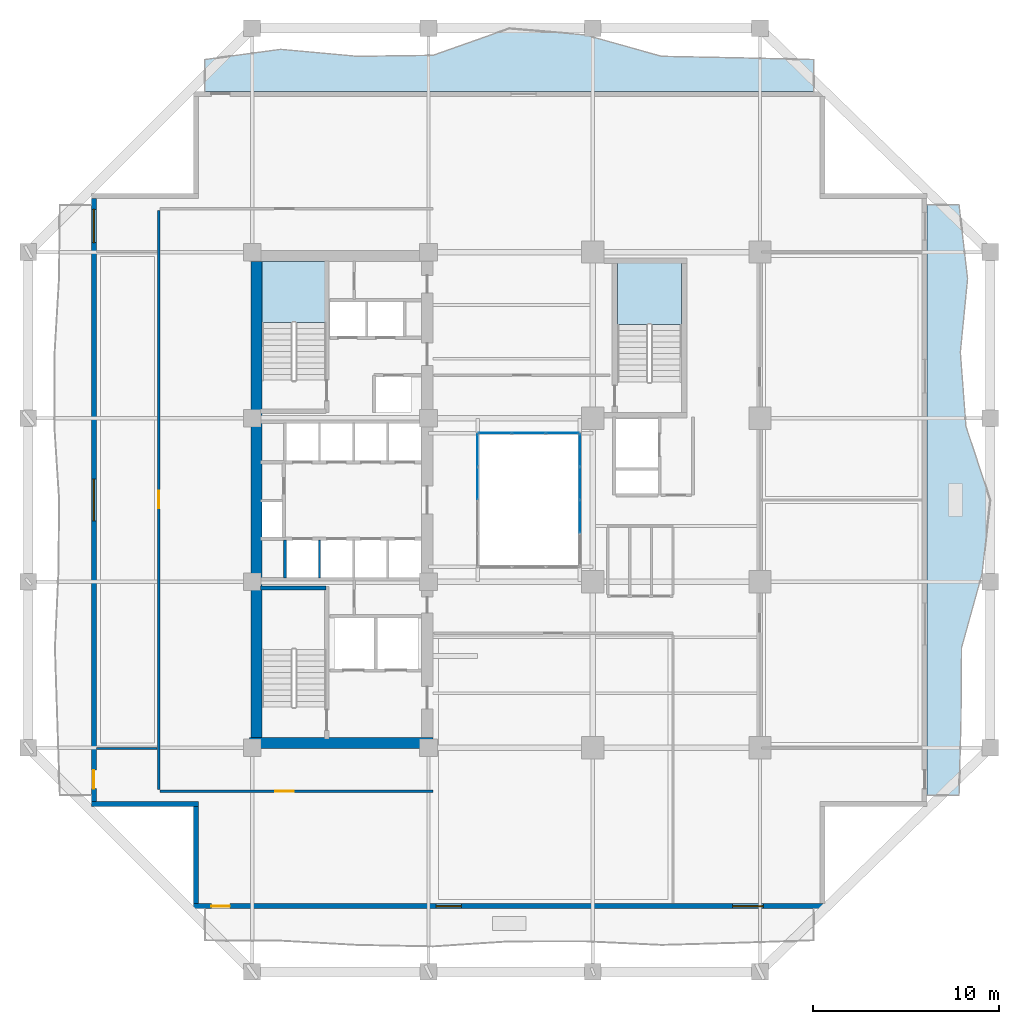
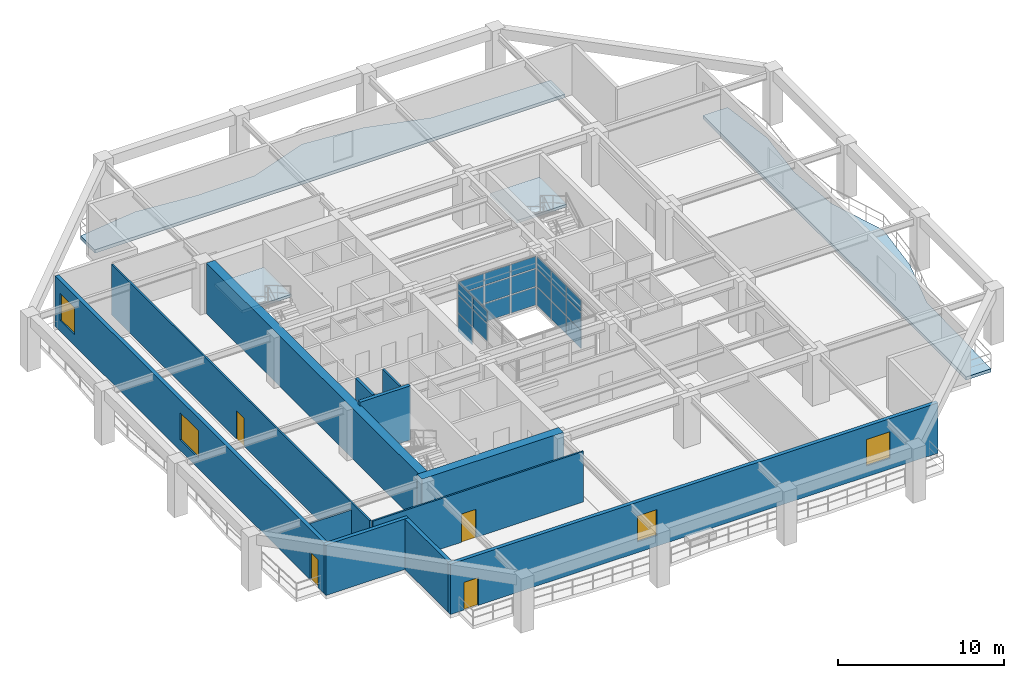
# One storey, part 6 of 17: 23 plates, 12 walls, 4 doors, 4 slabs, 4 windows, 8 openings, 5 elements without a shape of their own.
"""IFC4 building model written with IfcOpenShell, lengths in metres."""

from ifc_helpers import new_model, si_unit, direction, frame, frame_2d, origin, origin_2d, place, context, subcontext, project, spatial, polyline, rectangle, outline, extrude, material, layer, layer_set, type_object, element, fill, aggregate, save


model = new_model("IFC4")

# Units and contexts
model_context = context("Model", 3, precision=1e-05, world=origin(), true_north=direction((0.0, 1.0)))
body_context = subcontext(model_context, "Body", "Model", "MODEL_VIEW")
ifc_project = project(units=[si_unit("LENGTHUNIT", "METRE"), si_unit("AREAUNIT", "SQUARE_METRE"), si_unit("VOLUMEUNIT", "CUBIC_METRE"), si_unit("PLANEANGLEUNIT", "RADIAN"), si_unit("MASSUNIT", "GRAM", prefix="KILO")], contexts=[model_context])

# Site, building, storey
site_placement = place(None, origin())
site = spatial("IfcSite", under=ifc_project, at=site_placement, CompositionType="ELEMENT")
building_placement = place(site_placement, origin())
building = spatial("IfcBuilding", under=site, at=building_placement, Name="Kundavana Baori Tower", CompositionType="ELEMENT")
storey_placement = place(building_placement, frame((0.0, 0.0, 26.0)))
storey = spatial("IfcBuildingStorey", under=building, at=storey_placement, Name="L05", CompositionType="ELEMENT", Elevation=26.0)

# Curtain wall, plates
ifc_material_1 = material(Name="Thermally Broken Anodised Aluminium Framing", Category="aluminium")
ifc_layer_1 = layer(ifc_material_1, 0.18994140625, Name="CW-SYS-3")
ifc_layer_set_1 = layer_set([ifc_layer_1], Name="Thermally Broken Anodised Aluminium Framing")
curtain_wall_type = type_object("IfcCurtainWallType", Name="CW-SYS-3", PredefinedType="NOTDEFINED", material=ifc_layer_set_1)
curtain_wall_1_placement = place(storey_placement, origin())
curtain_wall_1 = element("IfcCurtainWall", 1, at=curtain_wall_1_placement, inside=storey, type_object=curtain_wall_type, Name="L05 Atrium Glazed Curtain Wall E", PredefinedType="NOTDEFINED")
ifc_material_2 = material(Name="Double-Glazed Solar-Control Low-E Insulated Glass", Category="glass")
ifc_layer_2 = layer(ifc_material_2, 0.028076171875, Name="CW-PNL-GLS28")
ifc_layer_set_2 = layer_set([ifc_layer_2], Name="Double-Glazed Solar-Control Low-E Insulated Glass")
plate_type = type_object("IfcPlateType", Name="CW-PNL-GLS28", PredefinedType="CURTAIN_PANEL", material=ifc_layer_set_2)
plate_1_placement = place(storey_placement, frame((33.10009765625, 27.699951171875, 0.06494140625), z_axis=(0.0, 0.0, 1.0), x_axis=(0.0, 1.0, 0.0)))
plate_1 = element("IfcPlate", 2, at=plate_1_placement, type_object=plate_type, Name="CW3 panel 2.1", PredefinedType="CURTAIN_PANEL", context=body_context, shape_type="SweptSolid", body=[
    extrude(rectangle(XDim=1.735107421875, YDim=0.028076171875, at=origin_2d()), origin(), (0.0, 0.0, 1.0), 1.316162109375),
])
plate_2_placement = place(storey_placement, frame((33.10009765625, 27.699951171875, 1.4462890625), z_axis=(0.0, 0.0, 1.0), x_axis=(0.0, 1.0, 0.0)))
plate_2 = element("IfcPlate", 3, at=plate_2_placement, type_object=plate_type, Name="CW3 panel 2.2", PredefinedType="CURTAIN_PANEL", context=body_context, shape_type="SweptSolid", body=[
    extrude(rectangle(XDim=1.735107421875, YDim=0.028076171875, at=origin_2d()), origin(), (0.0, 0.0, 1.0), 1.274169921875),
])
plate_3_placement = place(storey_placement, frame((33.10009765625, 27.699951171875, 2.785400390625), z_axis=(0.0, 0.0, 1.0), x_axis=(0.0, 1.0, 0.0)))
plate_3 = element("IfcPlate", 4, at=plate_3_placement, type_object=plate_type, Name="CW3 panel 2.3", PredefinedType="CURTAIN_PANEL", context=body_context, shape_type="SweptSolid", body=[
    extrude(rectangle(XDim=1.735107421875, YDim=0.028076171875, at=origin_2d()), origin(), (0.0, 0.0, 1.0), 0.86962890625),
])
plate_4_placement = place(storey_placement, frame((33.10009765625, 29.5, 0.06494140625), z_axis=(0.0, 0.0, 1.0), x_axis=(0.0, 1.0, 0.0)))
plate_4 = element("IfcPlate", 5, at=plate_4_placement, type_object=plate_type, Name="CW3 panel 3.1", PredefinedType="CURTAIN_PANEL", context=body_context, shape_type="SweptSolid", body=[
    extrude(rectangle(XDim=1.735107421875, YDim=0.028076171875, at=origin_2d()), origin(), (0.0, 0.0, 1.0), 1.316162109375),
])
plate_5_placement = place(storey_placement, frame((33.10009765625, 29.5, 1.4462890625), z_axis=(0.0, 0.0, 1.0), x_axis=(0.0, 1.0, 0.0)))
plate_5 = element("IfcPlate", 6, at=plate_5_placement, type_object=plate_type, Name="CW3 panel 3.2", PredefinedType="CURTAIN_PANEL", context=body_context, shape_type="SweptSolid", body=[
    extrude(rectangle(XDim=1.735107421875, YDim=0.028076171875, at=origin_2d()), origin(), (0.0, 0.0, 1.0), 1.274169921875),
])
plate_6_placement = place(storey_placement, frame((33.10009765625, 29.5, 2.785400390625), z_axis=(0.0, 0.0, 1.0), x_axis=(0.0, 1.0, 0.0)))
plate_6 = element("IfcPlate", 7, at=plate_6_placement, type_object=plate_type, Name="CW3 panel 3.3", PredefinedType="CURTAIN_PANEL", context=body_context, shape_type="SweptSolid", body=[
    extrude(rectangle(XDim=1.735107421875, YDim=0.028076171875, at=origin_2d()), origin(), (0.0, 0.0, 1.0), 0.86962890625),
])
plate_7_placement = place(storey_placement, frame((33.10009765625, 31.28369140625, 0.06494140625), z_axis=(0.0, 0.0, 1.0), x_axis=(0.0, 1.0, 0.0)))
plate_7 = element("IfcPlate", 8, at=plate_7_placement, type_object=plate_type, Name="CW3 panel 4.1", PredefinedType="CURTAIN_PANEL", context=body_context, shape_type="SweptSolid", body=[
    extrude(rectangle(XDim=1.702392578125, YDim=0.028076171875, at=origin_2d()), origin(), (0.0, 0.0, 1.0), 1.316162109375),
])
plate_8_placement = place(storey_placement, frame((33.10009765625, 31.28369140625, 1.4462890625), z_axis=(0.0, 0.0, 1.0), x_axis=(0.0, 1.0, 0.0)))
plate_8 = element("IfcPlate", 9, at=plate_8_placement, type_object=plate_type, Name="CW3 panel 4.2", PredefinedType="CURTAIN_PANEL", context=body_context, shape_type="SweptSolid", body=[
    extrude(rectangle(XDim=1.702392578125, YDim=0.028076171875, at=origin_2d()), origin(), (0.0, 0.0, 1.0), 1.274169921875),
])
plate_9_placement = place(storey_placement, frame((33.10009765625, 31.28369140625, 2.785400390625), z_axis=(0.0, 0.0, 1.0), x_axis=(0.0, 1.0, 0.0)))
plate_9 = element("IfcPlate", 10, at=plate_9_placement, type_object=plate_type, Name="CW3 panel 4.3", PredefinedType="CURTAIN_PANEL", context=body_context, shape_type="SweptSolid", body=[
    extrude(rectangle(XDim=1.702392578125, YDim=0.028076171875, at=origin_2d()), origin(), (0.0, 0.0, 1.0), 0.86962890625),
])
aggregate(curtain_wall_1, [plate_1, plate_2, plate_3, plate_4, plate_5, plate_6, plate_7, plate_8, plate_9])

curtain_wall_2_placement = place(storey_placement, origin())
curtain_wall_2 = element("IfcCurtainWall", 11, at=curtain_wall_2_placement, inside=storey, type_object=curtain_wall_type, Name="L05 Atrium Glazed Curtain Wall N", PredefinedType="NOTDEFINED")
plate_10_placement = place(storey_placement, frame((32.1669921875, 32.199951171875, 0.06494140625), z_axis=(0.0, 0.0, 1.0), x_axis=(-1.0, 0.0, 0.0)))
plate_10 = element("IfcPlate", 12, at=plate_10_placement, type_object=plate_type, Name="CW3 panel 1.1", PredefinedType="CURTAIN_PANEL", context=body_context, shape_type="SweptSolid", body=[
    extrude(rectangle(XDim=1.73583984375, YDim=0.028076171875, at=origin_2d()), origin(), (0.0, 0.0, 1.0), 1.316162109375),
])
plate_11_placement = place(storey_placement, frame((32.1669921875, 32.199951171875, 1.4462890625), z_axis=(0.0, 0.0, 1.0), x_axis=(-1.0, 0.0, 0.0)))
plate_11 = element("IfcPlate", 13, at=plate_11_placement, type_object=plate_type, Name="CW3 panel 1.2", PredefinedType="CURTAIN_PANEL", context=body_context, shape_type="SweptSolid", body=[
    extrude(rectangle(XDim=1.73583984375, YDim=0.028076171875, at=origin_2d()), origin(), (0.0, 0.0, 1.0), 1.274169921875),
])
plate_12_placement = place(storey_placement, frame((32.1669921875, 32.199951171875, 2.785400390625), z_axis=(0.0, 0.0, 1.0), x_axis=(-1.0, 0.0, 0.0)))
plate_12 = element("IfcPlate", 14, at=plate_12_placement, type_object=plate_type, Name="CW3 panel 1.3", PredefinedType="CURTAIN_PANEL", context=body_context, shape_type="SweptSolid", body=[
    extrude(rectangle(XDim=1.73583984375, YDim=0.028076171875, at=origin_2d()), origin(), (0.0, 0.0, 1.0), 0.86962890625),
])
plate_13_placement = place(storey_placement, frame((30.35009765625, 32.199951171875, 0.06494140625), z_axis=(0.0, 0.0, 1.0), x_axis=(-1.0, 0.0, 0.0)))
plate_13 = element("IfcPlate", 15, at=plate_13_placement, type_object=plate_type, Name="CW3 panel 2.1", PredefinedType="CURTAIN_PANEL", context=body_context, shape_type="SweptSolid", body=[
    extrude(rectangle(XDim=1.768310546875, YDim=0.028076171875, at=origin_2d()), origin(), (0.0, 0.0, 1.0), 1.316162109375),
])
plate_14_placement = place(storey_placement, frame((30.35009765625, 32.199951171875, 1.4462890625), z_axis=(0.0, 0.0, 1.0), x_axis=(-1.0, 0.0, 0.0)))
plate_14 = element("IfcPlate", 16, at=plate_14_placement, type_object=plate_type, Name="CW3 panel 2.2", PredefinedType="CURTAIN_PANEL", context=body_context, shape_type="SweptSolid", body=[
    extrude(rectangle(XDim=1.768310546875, YDim=0.028076171875, at=origin_2d()), origin(), (0.0, 0.0, 1.0), 1.274169921875),
])
plate_15_placement = place(storey_placement, frame((30.35009765625, 32.199951171875, 2.785400390625), z_axis=(0.0, 0.0, 1.0), x_axis=(-1.0, 0.0, 0.0)))
plate_15 = element("IfcPlate", 17, at=plate_15_placement, type_object=plate_type, Name="CW3 panel 2.3", PredefinedType="CURTAIN_PANEL", context=body_context, shape_type="SweptSolid", body=[
    extrude(rectangle(XDim=1.768310546875, YDim=0.028076171875, at=origin_2d()), origin(), (0.0, 0.0, 1.0), 0.86962890625),
])
plate_16_placement = place(storey_placement, frame((28.532958984375, 32.199951171875, 0.06494140625), z_axis=(0.0, 0.0, 1.0), x_axis=(-1.0, 0.0, 0.0)))
plate_16 = element("IfcPlate", 18, at=plate_16_placement, type_object=plate_type, Name="CW3 panel 3.1", PredefinedType="CURTAIN_PANEL", context=body_context, shape_type="SweptSolid", body=[
    extrude(rectangle(XDim=1.73583984375, YDim=0.028076171875, at=origin_2d()), origin(), (0.0, 0.0, 1.0), 1.316162109375),
])
plate_17_placement = place(storey_placement, frame((28.532958984375, 32.199951171875, 1.4462890625), z_axis=(0.0, 0.0, 1.0), x_axis=(-1.0, 0.0, 0.0)))
plate_17 = element("IfcPlate", 19, at=plate_17_placement, type_object=plate_type, Name="CW3 panel 3.2", PredefinedType="CURTAIN_PANEL", context=body_context, shape_type="SweptSolid", body=[
    extrude(rectangle(XDim=1.73583984375, YDim=0.028076171875, at=origin_2d()), origin(), (0.0, 0.0, 1.0), 1.274169921875),
])
plate_18_placement = place(storey_placement, frame((28.532958984375, 32.199951171875, 2.785400390625), z_axis=(0.0, 0.0, 1.0), x_axis=(-1.0, 0.0, 0.0)))
plate_18 = element("IfcPlate", 20, at=plate_18_placement, type_object=plate_type, Name="CW3 panel 3.3", PredefinedType="CURTAIN_PANEL", context=body_context, shape_type="SweptSolid", body=[
    extrude(rectangle(XDim=1.73583984375, YDim=0.028076171875, at=origin_2d()), origin(), (0.0, 0.0, 1.0), 0.86962890625),
])
aggregate(curtain_wall_2, [plate_10, plate_11, plate_12, plate_13, plate_14, plate_15, plate_16, plate_17, plate_18])

curtain_wall_3_placement = place(storey_placement, origin())
curtain_wall_3 = element("IfcCurtainWall", 21, at=curtain_wall_3_placement, inside=storey, type_object=curtain_wall_type, Name="L05 Atrium Glazed Curtain Wall W", PredefinedType="NOTDEFINED")
plate_19_placement = place(storey_placement, frame((27.60009765625, 31.28369140625, 0.06494140625), z_axis=(0.0, 0.0, 1.0), x_axis=(0.0, -1.0, 0.0)))
plate_19 = element("IfcPlate", 22, at=plate_19_placement, type_object=plate_type, Name="CW3 panel 1.1", PredefinedType="CURTAIN_PANEL", context=body_context, shape_type="SweptSolid", body=[
    extrude(rectangle(XDim=1.702392578125, YDim=0.028076171875, at=origin_2d()), origin(), (0.0, 0.0, 1.0), 1.316162109375),
])
plate_20_placement = place(storey_placement, frame((27.60009765625, 31.28369140625, 1.4462890625), z_axis=(0.0, 0.0, 1.0), x_axis=(0.0, -1.0, 0.0)))
plate_20 = element("IfcPlate", 23, at=plate_20_placement, type_object=plate_type, Name="CW3 panel 1.2", PredefinedType="CURTAIN_PANEL", context=body_context, shape_type="SweptSolid", body=[
    extrude(rectangle(XDim=1.702392578125, YDim=0.028076171875, at=origin_2d()), origin(), (0.0, 0.0, 1.0), 1.274169921875),
])
plate_21_placement = place(storey_placement, frame((27.60009765625, 31.28369140625, 2.785400390625), z_axis=(0.0, 0.0, 1.0), x_axis=(0.0, -1.0, 0.0)))
plate_21 = element("IfcPlate", 24, at=plate_21_placement, type_object=plate_type, Name="CW3 panel 1.3", PredefinedType="CURTAIN_PANEL", context=body_context, shape_type="SweptSolid", body=[
    extrude(rectangle(XDim=1.702392578125, YDim=0.028076171875, at=origin_2d()), origin(), (0.0, 0.0, 1.0), 0.86962890625),
])
plate_22_placement = place(storey_placement, frame((27.60009765625, 29.5, 1.4462890625), z_axis=(0.0, 0.0, 1.0), x_axis=(0.0, -1.0, 0.0)))
plate_22 = element("IfcPlate", 25, at=plate_22_placement, type_object=plate_type, Name="CW3 panel 2.2", PredefinedType="CURTAIN_PANEL", context=body_context, shape_type="SweptSolid", body=[
    extrude(rectangle(XDim=1.735107421875, YDim=0.028076171875, at=origin_2d()), origin(), (0.0, 0.0, 1.0), 1.274169921875),
])
plate_23_placement = place(storey_placement, frame((27.60009765625, 29.5, 2.785400390625), z_axis=(0.0, 0.0, 1.0), x_axis=(0.0, -1.0, 0.0)))
plate_23 = element("IfcPlate", 26, at=plate_23_placement, type_object=plate_type, Name="CW3 panel 2.3", PredefinedType="CURTAIN_PANEL", context=body_context, shape_type="SweptSolid", body=[
    extrude(rectangle(XDim=1.735107421875, YDim=0.028076171875, at=origin_2d()), origin(), (0.0, 0.0, 1.0), 0.86962890625),
])
aggregate(curtain_wall_3, [plate_19, plate_20, plate_21, plate_22, plate_23])

# Stair, slab
ifc_material_3 = material(Name="Concrete C40/50", Category="concrete")
stair_type = type_object("IfcStairType", Name="STR-DOG-1650", PredefinedType="HALF_TURN_STAIR", material=ifc_material_3)
stair_1_placement = place(storey_placement, origin())
stair_1 = element("IfcStair", 27, at=stair_1_placement, inside=storey, type_object=stair_type, Name="L05 Protected Exit Stair ST2", PredefinedType="HALF_TURN_STAIR")
ifc_material_4 = material(Name="Concrete C40/50", Category="concrete")
ifc_layer_3 = layer(ifc_material_4, 0.199951171875, Name="SLB-LND-200")
ifc_layer_set_3 = layer_set([ifc_layer_3], Name="Concrete C40/50")
slab_type_1 = type_object("IfcSlabType", Name="SLB-LND-200", PredefinedType="LANDING", material=ifc_layer_set_3)
slab_1_placement = place(storey_placement, frame((0.0, 0.0, 1.800048828125)))
slab_1 = element("IfcSlab", 28, at=slab_1_placement, type_object=slab_type_1, Name="ST2 landing 1", PredefinedType="LANDING", context=body_context, shape_type="SweptSolid", body=[
    extrude(outline(polyline([(19.43994140625, 38.14990234375), (19.43994140625, 41.449951171875), (15.97998046875, 41.449951171875), (15.97998046875, 38.14990234375), (19.43994140625, 38.14990234375)])), origin(), (0.0, 0.0, 1.0), 0.199951171875),
])
aggregate(stair_1, [slab_1])

stair_2_placement = place(storey_placement, origin())
stair_2 = element("IfcStair", 29, at=stair_2_placement, inside=storey, type_object=stair_type, Name="L05 Protected Exit Stair ST3", PredefinedType="HALF_TURN_STAIR")
slab_2_placement = place(storey_placement, frame((0.0, 0.0, 1.800048828125)))
slab_2 = element("IfcSlab", 30, at=slab_2_placement, type_object=slab_type_1, Name="ST3 landing 1", PredefinedType="LANDING", context=body_context, shape_type="SweptSolid", body=[
    extrude(outline(polyline([(38.580078125, 38.050048828125), (38.580078125, 41.35009765625), (35.1201171875, 41.35009765625), (35.1201171875, 38.050048828125), (38.580078125, 38.050048828125)])), origin(), (0.0, 0.0, 1.0), 0.199951171875),
])
aggregate(stair_2, [slab_2])

# Slabs
ifc_material_5 = material(Name="Concrete C40/50", Category="concrete")
ifc_layer_4 = layer(ifc_material_5, 0.239990234375, Name="SLB-LOG-240")
ifc_layer_set_4 = layer_set([ifc_layer_4], Name="Concrete C40/50")
slab_type_2 = type_object("IfcSlabType", Name="SLB-LOG-240", PredefinedType="FLOOR", material=ifc_layer_set_4)
slab_3_placement = place(storey_placement, frame((0.0, 0.0, -0.239990234375)))
element("IfcSlab", 31, at=slab_3_placement, inside=storey, type_object=slab_type_2, Name="L05 Planted Loggia Balcony Slab E", PredefinedType="FLOOR", context=body_context, shape_type="SweptSolid", body=[
    extrude(outline(polyline([(51.800048828125, 12.699951171875), (51.800048828125, 44.5), (53.52001953125, 44.5), (53.98095703125, 40.52490234375), (53.592041015625, 36.550048828125), (53.89306640625, 32.574951171875), (55.199951171875, 28.60009765625), (54.760986328125, 24.625), (53.656005859375, 20.64990234375), (53.625, 16.675048828125), (53.52001953125, 12.699951171875), (51.800048828125, 12.699951171875)])), origin(), (0.0, 0.0, 1.0), 0.239990234375),
])
slab_4_placement = place(storey_placement, frame((0.0, 0.0, -0.239990234375)))
element("IfcSlab", 32, at=slab_4_placement, inside=storey, type_object=slab_type_2, Name="L05 Planted Loggia Balcony Slab N", PredefinedType="FLOOR", context=body_context, shape_type="SweptSolid", body=[
    extrude(outline(polyline([(45.699951171875, 50.60009765625), (12.89990234375, 50.60009765625), (12.89990234375, 52.320068359375), (17.0, 52.868896484375), (21.10009765625, 52.493896484375), (25.199951171875, 52.547119140625), (29.300048828125, 54.0), (33.39990234375, 53.64501953125), (37.5, 52.493896484375), (41.60009765625, 52.4140625), (45.699951171875, 52.320068359375), (45.699951171875, 50.60009765625)])), origin(), (0.0, 0.0, 1.0), 0.239990234375),
])

# Walls
ifc_material_6 = material(Name="Concrete C50/60", Category="concrete")
ifc_layer_5 = layer(ifc_material_6, 0.39990234375, Name="WL-CORE-400")
ifc_layer_set_5 = layer_set([ifc_layer_5], Name="Concrete C50/60")
wall_type_1 = type_object("IfcWallType", Name="WL-CORE-400", PredefinedType="SHEAR", material=ifc_layer_set_5)
wall_1_placement = place(storey_placement, frame((15.89990234375, 23.860107421875, 0.0), z_axis=(0.0, 0.0, 1.0), x_axis=(1.0, 0.0, 0.0)))
element("IfcWall", 33, at=wall_1_placement, inside=storey, type_object=wall_type_1, Name="WL-L05-ST1-N", PredefinedType="SHEAR", context=body_context, shape_type="SweptSolid", body=[
    extrude(rectangle(XDim=3.52001953125, YDim=0.239990234375, at=frame_2d((1.760009765625, 0.0))), origin(), (0.0, 0.0, 1.0), 4.0),
])
ifc_material_7 = material(Name="Concrete C60/75", Category="concrete")
ifc_layer_6 = layer(ifc_material_7, 0.60009765625, Name="WL-CORE-600")
ifc_layer_set_6 = layer_set([ifc_layer_6], Name="Concrete C60/75")
wall_type_2 = type_object("IfcWallType", Name="WL-CORE-600", PredefinedType="SHEAR", material=ifc_layer_set_6)
wall_2_placement = place(storey_placement, frame((15.300048828125, 15.510009765625, 0.0), z_axis=(0.0, 0.0, 1.0), x_axis=(1.0, 0.0, 0.0)))
element("IfcWall", 34, at=wall_2_placement, inside=storey, type_object=wall_type_2, Name="L05 Offset Core South Shear Wall", PredefinedType="SHEAR", context=body_context, shape_type="SweptSolid", body=[
    extrude(rectangle(XDim=9.8798828125, YDim=0.60009765625, at=frame_2d((4.93994140625, 0.0))), origin(), (0.0, 0.0, 1.0), 3.719970703125),
])
wall_3_placement = place(storey_placement, frame((15.68994140625, 15.81005859375, 0.0), z_axis=(0.0, 0.0, 1.0), x_axis=(0.0, 1.0, 0.0)))
element("IfcWall", 35, at=wall_3_placement, inside=storey, type_object=wall_type_2, Name="L05 Offset Core West Shear Wall", PredefinedType="SHEAR", context=body_context, shape_type="SweptSolid", body=[
    extrude(rectangle(XDim=25.6298828125, YDim=0.60009765625, at=frame_2d((12.81494140625, 0.0))), origin(), (0.0, 0.0, 1.0), 3.719970703125),
])

# Wall, openings, door, windows
ifc_material_8 = material(Name="Kiln-Fired Terracotta Brick-Slip Masonry on Concrete C40/50", Category="masonry")
ifc_layer_7 = layer(ifc_material_8, 0.260009765625, Name="WL-EXT-BRK-260")
ifc_layer_set_7 = layer_set([ifc_layer_7], Name="Kiln-Fired Terracotta Brick-Slip Masonry on Concrete C40/50")
wall_type_3 = type_object("IfcWallType", Name="WL-EXT-BRK-260", PredefinedType="SOLIDWALL", material=ifc_layer_set_7)
wall_4_placement = place(storey_placement, frame((12.300048828125, 6.72998046875, 0.0), z_axis=(0.0, 0.0, 1.0), x_axis=(1.0, 0.0, 0.0)))
wall_4 = element("IfcWall", 36, at=wall_4_placement, inside=storey, type_object=wall_type_3, Name="L05 Exterior Insulated Facade Wall 01", PredefinedType="SOLIDWALL", context=body_context, shape_type="SweptSolid", body=[
    extrude(rectangle(XDim=34.0, YDim=0.260009765625, at=frame_2d((17.0, 0.0))), origin(), (0.0, 0.0, 1.0), 3.719970703125),
])
opening_1_placement = place(wall_4_placement, frame((0.949951171875, 0.0, 0.0)))
opening_1 = element("IfcOpeningElement", 37, at=opening_1_placement, cuts=wall_4, Name="Opening BD-1", PredefinedType="OPENING", context=body_context, shape_type="SweptSolid", body=[
    extrude(rectangle(XDim=1.0, YDim=2.050048828125, at=frame_2d((0.5, 1.02490234375))), frame((0.0, 0.14013671875, 0.0), z_axis=(0.0, -1.0, 0.0), x_axis=(1.0, 0.0, 0.0)), (0.0, 0.0, 1.0), 0.280029296875),
])
opening_2_placement = place(wall_4_placement, frame((13.06494140625, 0.0, 0.800048828125)))
opening_2 = element("IfcOpeningElement", 38, at=opening_2_placement, cuts=wall_4, Name="Opening W-07", PredefinedType="OPENING", context=body_context, shape_type="SweptSolid", body=[
    extrude(rectangle(XDim=1.35009765625, YDim=1.89990234375, at=frame_2d((0.675048828125, 0.949951171875))), frame((0.0, 0.14013671875, 0.0), z_axis=(0.0, -1.0, 0.0), x_axis=(1.0, 0.0, 0.0)), (0.0, 0.0, 1.0), 0.280029296875),
])
opening_3_placement = place(wall_4_placement, frame((29.030029296875, 0.0, 0.800048828125)))
opening_3 = element("IfcOpeningElement", 39, at=opening_3_placement, cuts=wall_4, Name="Opening W-08", PredefinedType="OPENING", context=body_context, shape_type="SweptSolid", body=[
    extrude(rectangle(XDim=1.64990234375, YDim=1.949951171875, at=frame_2d((0.824951171875, 0.97509765625))), frame((0.0, 0.14013671875, 0.0), z_axis=(0.0, -1.0, 0.0), x_axis=(1.0, 0.0, 0.0)), (0.0, 0.0, 1.0), 0.280029296875),
])
ifc_material_9 = material(Name="Architectural Patinated Bronze Metalwork")
door_type_1 = type_object("IfcDoorType", Name="DR-EXT-LOG-1000", OperationType="NOTDEFINED", PredefinedType="DOOR", material=ifc_material_9)
door_1_placement = place(opening_1_placement, frame((1.0, 0.0, 0.0), z_axis=(0.0, 0.0, 1.0), x_axis=(-1.0, 0.0, 0.0)))
door_1 = element("IfcDoor", 40, at=door_1_placement, inside=storey, type_object=door_type_1, Name="L05 Loggia Balcony Access Door S", OperationType="SINGLE_SWING_LEFT", OverallHeight=2.050048828125, OverallWidth=1.0, PredefinedType="DOOR", context=body_context, shape_type="SweptSolid", body=[
    extrude(rectangle(XDim=1.0, YDim=2.050048828125, at=frame_2d((0.5, 1.02490234375))), frame((0.0, 0.02490234375, 0.0), z_axis=(0.0, -1.0, 0.0), x_axis=(1.0, 0.0, 0.0)), (0.0, 0.0, 1.0), 0.050048828125),
])
fill(opening_1, door_1)
ifc_material_10 = material(Name="Double-Glazed Solar-Control Low-E Insulated Glass", Category="glass")
window_type_1 = type_object("IfcWindowType", Name="WIN-LOG-1350x1900", PartitioningType="SINGLE_PANEL", PredefinedType="WINDOW", material=ifc_material_10)
window_1_placement = place(opening_2_placement, origin())
window_1 = element("IfcWindow", 41, at=window_1_placement, inside=storey, type_object=window_type_1, Name="L05 Recessed Loggia Window S-1", OverallHeight=1.89990234375, OverallWidth=1.35009765625, PartitioningType="SINGLE_PANEL", PredefinedType="WINDOW", context=body_context, shape_type="SweptSolid", body=[
    extrude(rectangle(XDim=1.35009765625, YDim=1.89990234375, at=frame_2d((0.675048828125, 0.949951171875))), frame((0.0, 0.030029296875, 0.0), z_axis=(0.0, -1.0, 0.0), x_axis=(1.0, 0.0, 0.0)), (0.0, 0.0, 1.0), 0.06005859375),
])
fill(opening_2, window_1)
ifc_material_11 = material(Name="Double-Glazed Solar-Control Low-E Insulated Glass", Category="glass")
window_type_2 = type_object("IfcWindowType", Name="WIN-LOG-1650x1950", PartitioningType="SINGLE_PANEL", PredefinedType="WINDOW", material=ifc_material_11)
window_2_placement = place(opening_3_placement, origin())
window_2 = element("IfcWindow", 42, at=window_2_placement, inside=storey, type_object=window_type_2, Name="L05 Recessed Loggia Window S-2", OverallHeight=1.949951171875, OverallWidth=1.64990234375, PartitioningType="SINGLE_PANEL", PredefinedType="WINDOW", context=body_context, shape_type="SweptSolid", body=[
    extrude(rectangle(XDim=1.64990234375, YDim=1.949951171875, at=frame_2d((0.824951171875, 0.97509765625))), frame((0.0, 0.030029296875, 0.0), z_axis=(0.0, -1.0, 0.0), x_axis=(1.0, 0.0, 0.0)), (0.0, 0.0, 1.0), 0.06005859375),
])
fill(opening_3, window_2)

wall_5_placement = place(storey_placement, frame((6.929931640625, 44.840087890625, 0.0), z_axis=(0.0, 0.0, 1.0), x_axis=(0.0, -1.0, 0.0)))
wall_5 = element("IfcWall", 43, at=wall_5_placement, inside=storey, type_object=wall_type_3, Name="L05 Exterior Insulated Facade Wall 10", PredefinedType="SOLIDWALL", context=body_context, shape_type="SweptSolid", body=[
    extrude(rectangle(XDim=32.47998046875, YDim=0.260009765625, at=frame_2d((16.239990234375, 0.0))), origin(), (0.0, 0.0, 1.0), 3.719970703125),
])
opening_4_placement = place(wall_5_placement, frame((30.7900390625, 0.0, 0.0)))
opening_4 = element("IfcOpeningElement", 44, at=opening_4_placement, cuts=wall_5, Name="Opening BD-1", PredefinedType="OPENING", context=body_context, shape_type="SweptSolid", body=[
    extrude(rectangle(XDim=1.0, YDim=2.050048828125, at=frame_2d((0.5, 1.02490234375))), frame((0.0, 0.14013671875, 0.0), z_axis=(0.0, -1.0, 0.0), x_axis=(1.0, 0.0, 0.0)), (0.0, 0.0, 1.0), 0.280029296875),
])
opening_5_placement = place(wall_5_placement, frame((15.114990234375, 0.0, 0.800048828125)))
opening_5 = element("IfcOpeningElement", 45, at=opening_5_placement, cuts=wall_5, Name="Opening W-10", PredefinedType="OPENING", context=body_context, shape_type="SweptSolid", body=[
    extrude(rectangle(XDim=2.25, YDim=2.0, at=frame_2d((1.125, 1.0))), frame((0.0, 0.14013671875, 0.0), z_axis=(0.0, -1.0, 0.0), x_axis=(1.0, 0.0, 0.0)), (0.0, 0.0, 1.0), 0.280029296875),
])
opening_6_placement = place(wall_5_placement, frame((0.5849609375, 0.0, 0.800048828125)))
opening_6 = element("IfcOpeningElement", 46, at=opening_6_placement, cuts=wall_5, Name="Opening W-01", PredefinedType="OPENING", context=body_context, shape_type="SweptSolid", body=[
    extrude(rectangle(XDim=1.800048828125, YDim=2.0, at=frame_2d((0.89990234375, 1.0))), frame((0.0, 0.14013671875, 0.0), z_axis=(0.0, -1.0, 0.0), x_axis=(1.0, 0.0, 0.0)), (0.0, 0.0, 1.0), 0.280029296875),
])
door_2_placement = place(opening_4_placement, frame((1.0, 0.0, 0.0), z_axis=(0.0, 0.0, 1.0), x_axis=(-1.0, 0.0, 0.0)))
door_2 = element("IfcDoor", 47, at=door_2_placement, inside=storey, type_object=door_type_1, Name="L05 Loggia Balcony Access Door W", OperationType="SINGLE_SWING_RIGHT", OverallHeight=2.050048828125, OverallWidth=1.0, PredefinedType="DOOR", context=body_context, shape_type="SweptSolid", body=[
    extrude(rectangle(XDim=1.0, YDim=2.050048828125, at=frame_2d((0.5, 1.02490234375))), frame((0.0, 0.02490234375, 0.0), z_axis=(0.0, -1.0, 0.0), x_axis=(1.0, 0.0, 0.0)), (0.0, 0.0, 1.0), 0.050048828125),
])
fill(opening_4, door_2)
ifc_material_12 = material(Name="Double-Glazed Solar-Control Low-E Insulated Glass", Category="glass")
window_type_3 = type_object("IfcWindowType", Name="WIN-LOG-1800x2000", PartitioningType="SINGLE_PANEL", PredefinedType="WINDOW", material=ifc_material_12)
window_3_placement = place(opening_6_placement, origin())
window_3 = element("IfcWindow", 48, at=window_3_placement, inside=storey, type_object=window_type_3, Name="L05 Recessed Loggia Window W-3", OverallHeight=2.0, OverallWidth=1.800048828125, PartitioningType="SINGLE_PANEL", PredefinedType="WINDOW", context=body_context, shape_type="SweptSolid", body=[
    extrude(rectangle(XDim=1.800048828125, YDim=2.0, at=frame_2d((0.89990234375, 1.0))), frame((0.0, 0.030029296875, 0.0), z_axis=(0.0, -1.0, 0.0), x_axis=(1.0, 0.0, 0.0)), (0.0, 0.0, 1.0), 0.06005859375),
])
fill(opening_6, window_3)
ifc_material_13 = material(Name="Double-Glazed Solar-Control Low-E Insulated Glass", Category="glass")
window_type_4 = type_object("IfcWindowType", Name="WIN-LOG-2250x2000", PartitioningType="SINGLE_PANEL", PredefinedType="WINDOW", material=ifc_material_13)
window_4_placement = place(opening_5_placement, origin())
window_4 = element("IfcWindow", 49, at=window_4_placement, inside=storey, type_object=window_type_4, Name="L05 Recessed Loggia Window W-2", OverallHeight=2.0, OverallWidth=2.25, PartitioningType="SINGLE_PANEL", PredefinedType="WINDOW", context=body_context, shape_type="SweptSolid", body=[
    extrude(rectangle(XDim=2.25, YDim=2.0, at=frame_2d((1.125, 1.0))), frame((0.0, 0.030029296875, 0.0), z_axis=(0.0, -1.0, 0.0), x_axis=(1.0, 0.0, 0.0)), (0.0, 0.0, 1.0), 0.06005859375),
])
fill(opening_5, window_4)

# Walls
wall_6_placement = place(storey_placement, frame((6.800048828125, 12.22998046875, 0.0), z_axis=(0.0, 0.0, 1.0), x_axis=(1.0, 0.0, 0.0)))
element("IfcWall", 50, at=wall_6_placement, inside=storey, type_object=wall_type_3, Name="L05 Exterior Insulated Facade Wall 11", PredefinedType="SOLIDWALL", context=body_context, shape_type="SweptSolid", body=[
    extrude(rectangle(XDim=5.760009765625, YDim=0.260009765625, at=frame_2d((2.8798828125, 0.0))), origin(), (0.0, 0.0, 1.0), 3.719970703125),
])
wall_7_placement = place(storey_placement, frame((12.429931640625, 12.10009765625, 0.0), z_axis=(0.0, 0.0, 1.0), x_axis=(0.0, -1.0, 0.0)))
element("IfcWall", 51, at=wall_7_placement, inside=storey, type_object=wall_type_3, Name="L05 Exterior Insulated Facade Wall 12", PredefinedType="SOLIDWALL", context=body_context, shape_type="SweptSolid", body=[
    extrude(rectangle(XDim=5.239990234375, YDim=0.260009765625, at=frame_2d((2.6201171875, 0.0))), origin(), (0.0, 0.0, 1.0), 3.719970703125),
])
ifc_material_14 = material(Name="Acoustic Gypsum Plasterboard on Galvanised Steel Studs", Category="steel")
ifc_layer_8 = layer(ifc_material_14, 0.1201171875, Name="WL-PART-120")
ifc_layer_set_8 = layer_set([ifc_layer_8], Name="Acoustic Gypsum Plasterboard on Galvanised Steel Studs")
wall_type_4 = type_object("IfcWallType", Name="WL-PART-120", PredefinedType="PARTITIONING", material=ifc_layer_set_8)
wall_8_placement = place(storey_placement, frame((19.080078125, 24.39990234375, 0.0), z_axis=(0.0, 0.0, 1.0), x_axis=(0.0, 1.0, 0.0)))
element("IfcWall", 52, at=wall_8_placement, inside=storey, type_object=wall_type_4, Name="WL-L05-LPLOW-D1", PredefinedType="PARTITIONING", context=body_context, shape_type="SweptSolid", body=[
    extrude(rectangle(XDim=2.050048828125, YDim=0.1201171875, at=frame_2d((1.02490234375, 0.0))), origin(), (0.0, 0.0, 1.0), 3.719970703125),
])

# Wall, opening, door
wall_9_placement = place(storey_placement, frame((10.419921875, 13.0, 0.0), z_axis=(0.0, 0.0, 1.0), x_axis=(0.0, 1.0, 0.0)))
wall_9 = element("IfcWall", 53, at=wall_9_placement, inside=storey, type_object=wall_type_4, Name="WL-L05-OW", PredefinedType="PARTITIONING", context=body_context, shape_type="SweptSolid", body=[
    extrude(rectangle(XDim=31.199951171875, YDim=0.1201171875, at=frame_2d((15.60009765625, 0.0))), origin(), (0.0, 0.0, 1.0), 3.719970703125),
])
opening_7_placement = place(wall_9_placement, frame((15.14990234375, 0.0, 0.0)))
opening_7 = element("IfcOpeningElement", 54, at=opening_7_placement, cuts=wall_9, Name="Opening ID-095", PredefinedType="OPENING", context=body_context, shape_type="SweptSolid", body=[
    extrude(rectangle(XDim=0.949951171875, YDim=2.080078125, at=frame_2d((0.47509765625, 1.0400390625))), frame((0.0, 0.070068359375, 0.0), z_axis=(0.0, -1.0, 0.0), x_axis=(1.0, 0.0, 0.0)), (0.0, 0.0, 1.0), 0.14013671875),
])
ifc_material_15 = material(Name="Engineered Teak Solid-Core Timber Veneer", Category="wood")
door_type_2 = type_object("IfcDoorType", Name="DR-INT-950", OperationType="NOTDEFINED", PredefinedType="DOOR", material=ifc_material_15)
door_3_placement = place(opening_7_placement, frame((0.949951171875, 0.0, 0.0), z_axis=(0.0, 0.0, 1.0), x_axis=(-1.0, 0.0, 0.0)))
door_3 = element("IfcDoor", 55, at=door_3_placement, inside=storey, type_object=door_type_2, Name="DR-L05-OFW1", OperationType="SINGLE_SWING_LEFT", OverallHeight=2.080078125, OverallWidth=0.949951171875, PredefinedType="DOOR", context=body_context, shape_type="SweptSolid", body=[
    extrude(rectangle(XDim=0.949951171875, YDim=2.080078125, at=frame_2d((0.47509765625, 1.0400390625))), frame((0.0, 0.02490234375, 0.0), z_axis=(0.0, -1.0, 0.0), x_axis=(1.0, 0.0, 0.0)), (0.0, 0.0, 1.0), 0.050048828125),
])
fill(opening_7, door_3)

# Wall
wall_10_placement = place(storey_placement, frame((7.080078125, 15.219970703125, 0.0), z_axis=(0.0, 0.0, 1.0), x_axis=(1.0, 0.0, 0.0)))
element("IfcWall", 56, at=wall_10_placement, inside=storey, type_object=wall_type_4, Name="WL-L05-OWS", PredefinedType="PARTITIONING", context=body_context, shape_type="SweptSolid", body=[
    extrude(rectangle(XDim=3.260009765625, YDim=0.1201171875, at=frame_2d((1.6298828125, 0.0))), origin(), (0.0, 0.0, 1.0), 3.219970703125),
])

# Wall, opening, door
wall_11_placement = place(storey_placement, frame((10.5, 12.919921875, 0.0), z_axis=(0.0, 0.0, 1.0), x_axis=(1.0, 0.0, 0.0)))
wall_11 = element("IfcWall", 57, at=wall_11_placement, inside=storey, type_object=wall_type_4, Name="WL-L05-OSC", PredefinedType="PARTITIONING", context=body_context, shape_type="SweptSolid", body=[
    extrude(rectangle(XDim=14.699951171875, YDim=0.1201171875, at=frame_2d((7.35009765625, 0.0))), origin(), (0.0, 0.0, 1.0), 3.719970703125),
])
opening_8_placement = place(wall_11_placement, frame((6.199951171875, 0.0, 0.0)))
opening_8 = element("IfcOpeningElement", 58, at=opening_8_placement, cuts=wall_11, Name="Opening ID-100", PredefinedType="OPENING", context=body_context, shape_type="SweptSolid", body=[
    extrude(rectangle(XDim=1.0, YDim=2.080078125, at=frame_2d((0.5, 1.0400390625))), frame((0.0, 0.070068359375, 0.0), z_axis=(0.0, -1.0, 0.0), x_axis=(1.0, 0.0, 0.0)), (0.0, 0.0, 1.0), 0.14013671875),
])
ifc_material_16 = material(Name="Engineered Teak Solid-Core Timber Veneer", Category="wood")
door_type_3 = type_object("IfcDoorType", Name="DR-INT-1000", OperationType="NOTDEFINED", PredefinedType="DOOR", material=ifc_material_16)
door_4_placement = place(opening_8_placement, frame((1.0, 0.0, 0.0), z_axis=(0.0, 0.0, 1.0), x_axis=(-1.0, 0.0, 0.0)))
door_4 = element("IfcDoor", 59, at=door_4_placement, inside=storey, type_object=door_type_3, Name="DR-L05-OSWC", OperationType="SINGLE_SWING_LEFT", OverallHeight=2.080078125, OverallWidth=1.0, PredefinedType="DOOR", context=body_context, shape_type="SweptSolid", body=[
    extrude(rectangle(XDim=1.0, YDim=2.080078125, at=frame_2d((0.5, 1.0400390625))), frame((0.0, 0.02490234375, 0.0), z_axis=(0.0, -1.0, 0.0), x_axis=(1.0, 0.0, 0.0)), (0.0, 0.0, 1.0), 0.050048828125),
])
fill(opening_8, door_4)

# Wall
ifc_material_17 = material(Name="Autoclaved Aerated Concrete Blockwork Masonry", Category="masonry")
ifc_layer_9 = layer(ifc_material_17, 0.179931640625, Name="WL-SHAFT-180")
ifc_layer_set_9 = layer_set([ifc_layer_9], Name="Autoclaved Aerated Concrete Blockwork Masonry")
wall_type_5 = type_object("IfcWallType", Name="WL-SHAFT-180", PredefinedType="SOLIDWALL", material=ifc_layer_set_9)
wall_12_placement = place(storey_placement, frame((17.219970703125, 24.39990234375, 0.0), z_axis=(0.0, 0.0, 1.0), x_axis=(0.0, 1.0, 0.0)))
element("IfcWall", 60, at=wall_12_placement, inside=storey, type_object=wall_type_5, Name="WL-L05-LPLOW-W", PredefinedType="SOLIDWALL", context=body_context, shape_type="SweptSolid", body=[
    extrude(rectangle(XDim=2.050048828125, YDim=0.179931640625, at=frame_2d((1.02490234375, 0.0))), origin(), (0.0, 0.0, 1.0), 3.719970703125),
])

save(model, "model.ifc")
